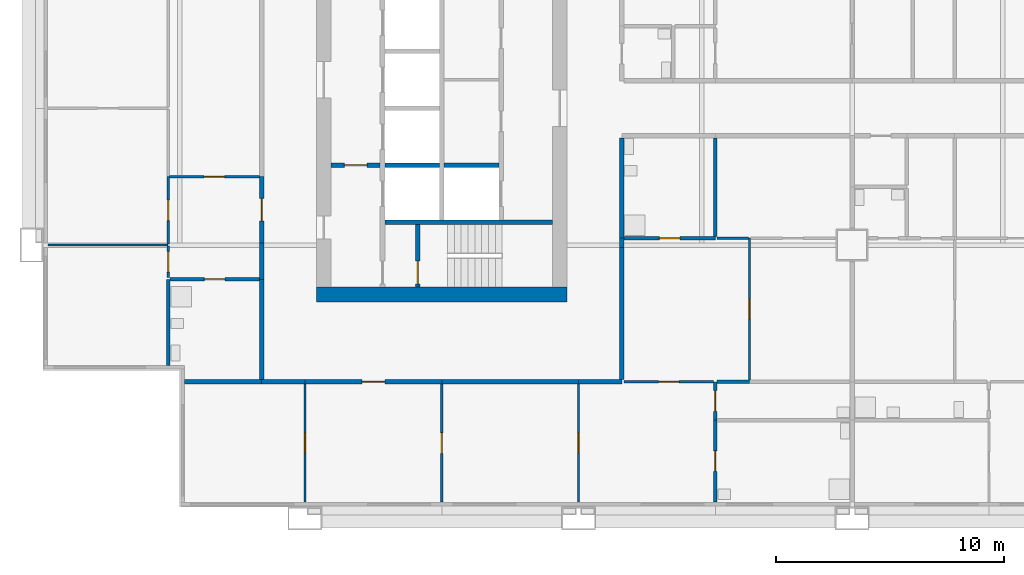
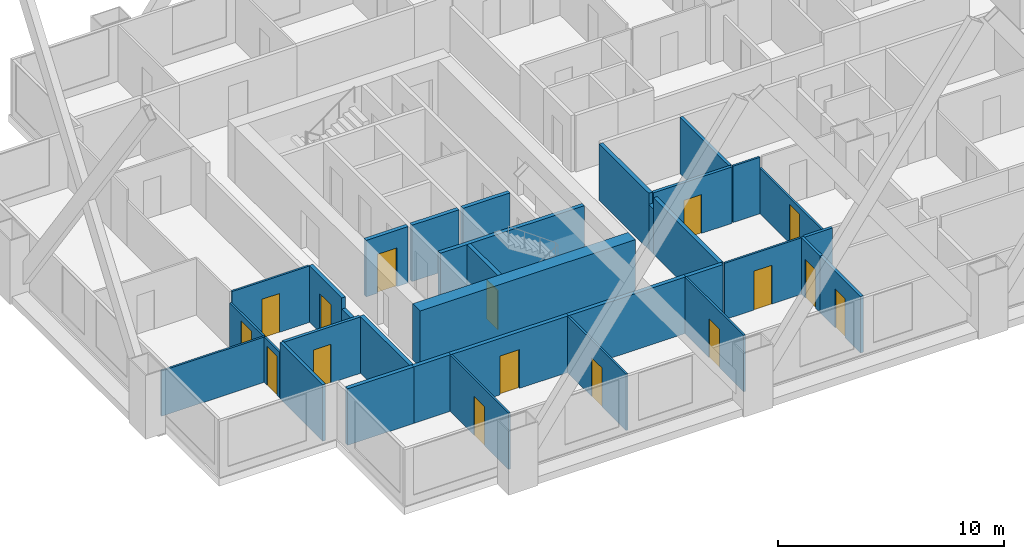
# One storey, part 2 of 11: 34 walls, 16 doors, 16 openings.
"""IFC4 building model written with IfcOpenShell, lengths in metres."""

from ifc_helpers import new_model, si_unit, direction, frame, frame_2d, origin, place, context, subcontext, project, spatial, rectangle, extrude, material, layer, layer_set, type_object, element, fill, save


model = new_model("IFC4")

# Units and contexts
model_context = context("Model", 3, precision=1e-05, world=origin(), true_north=direction((0.0, 1.0)))
body_context = subcontext(model_context, "Body", "Model", "MODEL_VIEW")
ifc_project = project(units=[si_unit("LENGTHUNIT", "METRE"), si_unit("AREAUNIT", "SQUARE_METRE"), si_unit("VOLUMEUNIT", "CUBIC_METRE"), si_unit("PLANEANGLEUNIT", "RADIAN"), si_unit("MASSUNIT", "GRAM", prefix="KILO")], contexts=[model_context])

# Site, building, storey
site_placement = place(None, origin())
site = spatial("IfcSite", under=ifc_project, at=site_placement, CompositionType="ELEMENT")
building_placement = place(site_placement, origin())
building = spatial("IfcBuilding", under=site, at=building_placement, Name="Kitamizu Gate Tower and Museum", CompositionType="ELEMENT")
storey_placement = place(building_placement, frame((0.0, 0.0, 96.60009765625)))
storey = spatial("IfcBuildingStorey", under=building, at=storey_placement, Name="L24", CompositionType="ELEMENT", Elevation=96.60009765625)

# Wall
ifc_material_1 = material(Name="Concrete Fc60", Category="concrete")
ifc_layer_1 = layer(ifc_material_1, 0.64990234375)
ifc_layer_set_1 = layer_set([ifc_layer_1], Name="Concrete Fc60")
wall_type_1 = type_object("IfcWallType", Name="Core wall 650", PredefinedType="SHEAR", material=ifc_layer_set_1)
wall_1_placement = place(storey_placement, frame((12.5, 21.824951171875, 0.0), z_axis=(0.0, 0.0, 1.0), x_axis=(1.0, 0.0, 0.0)))
element("IfcWall", 1, at=wall_1_placement, inside=storey, type_object=wall_type_1, Name="Core wall WS", PredefinedType="SHEAR", context=body_context, shape_type="SweptSolid", body=[
    extrude(rectangle(XDim=11.0, YDim=0.64990234375, at=frame_2d((5.5, 0.0))), origin(), (0.0, 0.0, 1.0), 3.0498046875),
])

# Wall, opening, door
ifc_material_2 = material(Name="Gypsum board on galvanised stud")
ifc_layer_2 = layer(ifc_material_2, 0.10009765625)
ifc_layer_set_2 = layer_set([ifc_layer_2], Name="Gypsum board on galvanised stud")
wall_type_2 = type_object("IfcWallType", Name="Partition 100 NOT RATED", PredefinedType="PARTITIONING", material=ifc_layer_set_2)
wall_2_placement = place(storey_placement, frame((12.0, 12.719970703125, 0.0), z_axis=(0.0, 0.0, 1.0), x_axis=(0.0, 1.0, 0.0)))
wall_2 = element("IfcWall", 2, at=wall_2_placement, inside=storey, type_object=wall_type_2, Name="Partition L24-001", PredefinedType="PARTITIONING", context=body_context, shape_type="SweptSolid", body=[
    extrude(rectangle(XDim=5.179931640625, YDim=0.10009765625, at=frame_2d((2.58984375, 0.0))), origin(), (0.0, 0.0, 1.0), 3.0498046875),
])
opening_1_placement = place(wall_2_placement, frame((2.139892578125, 0.0, 0.0)))
opening_1 = element("IfcOpeningElement", 3, at=opening_1_placement, cuts=wall_2, Name="Opening L24-005", PredefinedType="OPENING", context=body_context, shape_type="SweptSolid", body=[
    extrude(rectangle(XDim=0.89990234375, YDim=2.10009765625, at=frame_2d((0.449951171875, 1.050048828125))), frame((0.0, 0.06005859375, 0.0), z_axis=(0.0, -1.0, 0.0), x_axis=(1.0, 0.0, 0.0)), (0.0, 0.0, 1.0), 0.1201171875),
])
ifc_material_3 = material(Name="Timber door set", Category="wood")
door_type_1 = type_object("IfcDoorType", Name="Room door 900", OperationType="NOTDEFINED", PredefinedType="DOOR", material=ifc_material_3)
door_1_placement = place(opening_1_placement, origin())
door_1 = element("IfcDoor", 4, at=door_1_placement, inside=storey, type_object=door_type_1, Name="Door L24-005", OperationType="SINGLE_SWING_RIGHT", OverallHeight=2.10009765625, OverallWidth=0.89990234375, PredefinedType="DOOR", context=body_context, shape_type="SweptSolid", body=[
    extrude(rectangle(XDim=0.89990234375, YDim=2.10009765625, at=frame_2d((0.449951171875, 1.050048828125))), frame((0.0, 0.02490234375, 0.0), z_axis=(0.0, -1.0, 0.0), x_axis=(1.0, 0.0, 0.0)), (0.0, 0.0, 1.0), 0.050048828125),
])
fill(opening_1, door_1)

wall_3_placement = place(storey_placement, frame((18.0, 12.719970703125, 0.0), z_axis=(0.0, 0.0, 1.0), x_axis=(0.0, 1.0, 0.0)))
wall_3 = element("IfcWall", 5, at=wall_3_placement, inside=storey, type_object=wall_type_2, Name="Partition L24-004", PredefinedType="PARTITIONING", context=body_context, shape_type="SweptSolid", body=[
    extrude(rectangle(XDim=5.179931640625, YDim=0.10009765625, at=frame_2d((2.58984375, 0.0))), origin(), (0.0, 0.0, 1.0), 3.0498046875),
])
opening_2_placement = place(wall_3_placement, frame((2.139892578125, 0.0, 0.0)))
opening_2 = element("IfcOpeningElement", 6, at=opening_2_placement, cuts=wall_3, Name="Opening L24-002", PredefinedType="OPENING", context=body_context, shape_type="SweptSolid", body=[
    extrude(rectangle(XDim=0.89990234375, YDim=2.10009765625, at=frame_2d((0.449951171875, 1.050048828125))), frame((0.0, 0.06005859375, 0.0), z_axis=(0.0, -1.0, 0.0), x_axis=(1.0, 0.0, 0.0)), (0.0, 0.0, 1.0), 0.1201171875),
])
door_2_placement = place(opening_2_placement, frame((0.89990234375, 0.0, 0.0), x_axis=(-1.0, 0.0, 0.0)))
door_2 = element("IfcDoor", 7, at=door_2_placement, inside=storey, type_object=door_type_1, Name="Door L24-002", OperationType="SINGLE_SWING_RIGHT", OverallHeight=2.10009765625, OverallWidth=0.89990234375, PredefinedType="DOOR", context=body_context, shape_type="SweptSolid", body=[
    extrude(rectangle(XDim=0.89990234375, YDim=2.10009765625, at=frame_2d((0.449951171875, 1.050048828125))), frame((0.0, 0.02490234375, 0.0), z_axis=(0.0, -1.0, 0.0), x_axis=(1.0, 0.0, 0.0)), (0.0, 0.0, 1.0), 0.050048828125),
])
fill(opening_2, door_2)

wall_4_placement = place(storey_placement, frame((24.0, 12.719970703125, 0.0), z_axis=(0.0, 0.0, 1.0), x_axis=(0.0, 1.0, 0.0)))
wall_4 = element("IfcWall", 8, at=wall_4_placement, inside=storey, type_object=wall_type_2, Name="Partition L24-006", PredefinedType="PARTITIONING", context=body_context, shape_type="SweptSolid", body=[
    extrude(rectangle(XDim=5.179931640625, YDim=0.10009765625, at=frame_2d((2.58984375, 0.0))), origin(), (0.0, 0.0, 1.0), 3.0498046875),
])
opening_3_placement = place(wall_4_placement, frame((2.139892578125, 0.0, 0.0)))
opening_3 = element("IfcOpeningElement", 9, at=opening_3_placement, cuts=wall_4, Name="Opening L24-003", PredefinedType="OPENING", context=body_context, shape_type="SweptSolid", body=[
    extrude(rectangle(XDim=0.89990234375, YDim=2.10009765625, at=frame_2d((0.449951171875, 1.050048828125))), frame((0.0, 0.06005859375, 0.0), z_axis=(0.0, -1.0, 0.0), x_axis=(1.0, 0.0, 0.0)), (0.0, 0.0, 1.0), 0.1201171875),
])
door_3_placement = place(opening_3_placement, origin())
door_3 = element("IfcDoor", 10, at=door_3_placement, inside=storey, type_object=door_type_1, Name="Door L24-003", OperationType="SINGLE_SWING_RIGHT", OverallHeight=2.10009765625, OverallWidth=0.89990234375, PredefinedType="DOOR", context=body_context, shape_type="SweptSolid", body=[
    extrude(rectangle(XDim=0.89990234375, YDim=2.10009765625, at=frame_2d((0.449951171875, 1.050048828125))), frame((0.0, 0.02490234375, 0.0), z_axis=(0.0, -1.0, 0.0), x_axis=(1.0, 0.0, 0.0)), (0.0, 0.0, 1.0), 0.050048828125),
])
fill(opening_3, door_3)

wall_5_placement = place(storey_placement, frame((29.925048828125, 18.0, 0.0), z_axis=(0.0, 0.0, 1.0), x_axis=(-1.0, 0.0, 0.0)))
wall_5 = element("IfcWall", 11, at=wall_5_placement, inside=storey, type_object=wall_type_2, Name="Partition L24-010", PredefinedType="PARTITIONING", context=body_context, shape_type="SweptSolid", body=[
    extrude(rectangle(XDim=3.925048828125, YDim=0.10009765625, at=frame_2d((1.96240234375, 0.0))), origin(), (0.0, 0.0, 1.0), 3.0498046875),
])
opening_4_placement = place(wall_5_placement, frame((1.512451171875, 0.0, 0.0)))
opening_4 = element("IfcOpeningElement", 12, at=opening_4_placement, cuts=wall_5, Name="Opening L24-007", PredefinedType="OPENING", context=body_context, shape_type="SweptSolid", body=[
    extrude(rectangle(XDim=0.89990234375, YDim=2.10009765625, at=frame_2d((0.449951171875, 1.050048828125))), frame((0.0, 0.06005859375, 0.0), z_axis=(0.0, -1.0, 0.0), x_axis=(1.0, 0.0, 0.0)), (0.0, 0.0, 1.0), 0.1201171875),
])
door_4_placement = place(opening_4_placement, origin())
door_4 = element("IfcDoor", 13, at=door_4_placement, inside=storey, type_object=door_type_1, Name="Door L24-007", OperationType="SINGLE_SWING_RIGHT", OverallHeight=2.10009765625, OverallWidth=0.89990234375, PredefinedType="DOOR", context=body_context, shape_type="SweptSolid", body=[
    extrude(rectangle(XDim=0.89990234375, YDim=2.10009765625, at=frame_2d((0.449951171875, 1.050048828125))), frame((0.0, 0.02490234375, 0.0), z_axis=(0.0, -1.0, 0.0), x_axis=(1.0, 0.0, 0.0)), (0.0, 0.0, 1.0), 0.050048828125),
])
fill(opening_4, door_4)

wall_6_placement = place(storey_placement, frame((31.5, 18.074951171875, 0.0), z_axis=(0.0, 0.0, 1.0), x_axis=(0.0, 1.0, 0.0)))
wall_6 = element("IfcWall", 14, at=wall_6_placement, inside=storey, type_object=wall_type_2, Name="Partition L24-017", PredefinedType="PARTITIONING", context=body_context, shape_type="SweptSolid", body=[
    extrude(rectangle(XDim=6.22509765625, YDim=0.10009765625, at=frame_2d((3.112548828125, 0.0))), origin(), (0.0, 0.0, 1.0), 2.449951171875),
])
opening_5_placement = place(wall_6_placement, frame((2.66259765625, 0.0, 0.0)))
opening_5 = element("IfcOpeningElement", 15, at=opening_5_placement, cuts=wall_6, Name="Opening L24-009", PredefinedType="OPENING", context=body_context, shape_type="SweptSolid", body=[
    extrude(rectangle(XDim=0.89990234375, YDim=2.10009765625, at=frame_2d((0.449951171875, 1.050048828125))), frame((0.0, 0.06005859375, 0.0), z_axis=(0.0, -1.0, 0.0), x_axis=(1.0, 0.0, 0.0)), (0.0, 0.0, 1.0), 0.1201171875),
])
door_5_placement = place(opening_5_placement, frame((0.89990234375, 0.0, 0.0), x_axis=(-1.0, 0.0, 0.0)))
door_5 = element("IfcDoor", 16, at=door_5_placement, inside=storey, type_object=door_type_1, Name="Door L24-009", OperationType="SINGLE_SWING_LEFT", OverallHeight=2.10009765625, OverallWidth=0.89990234375, PredefinedType="DOOR", context=body_context, shape_type="SweptSolid", body=[
    extrude(rectangle(XDim=0.89990234375, YDim=2.10009765625, at=frame_2d((0.449951171875, 1.050048828125))), frame((0.0, 0.02490234375, 0.0), z_axis=(0.0, -1.0, 0.0), x_axis=(1.0, 0.0, 0.0)), (0.0, 0.0, 1.0), 0.050048828125),
])
fill(opening_5, door_5)

# Walls
wall_7_placement = place(storey_placement, frame((31.449951171875, 24.300048828125, 0.0), z_axis=(0.0, 0.0, 1.0), x_axis=(-1.0, 0.0, 0.0)))
element("IfcWall", 17, at=wall_7_placement, inside=storey, type_object=wall_type_2, Name="Partition L24-019", PredefinedType="PARTITIONING", context=body_context, shape_type="SweptSolid", body=[
    extrude(rectangle(XDim=1.375, YDim=0.10009765625, at=frame_2d((0.6875, 0.0))), origin(), (0.0, 0.0, 1.0), 3.0498046875),
])
wall_8_placement = place(storey_placement, frame((6.0, 24.0, 0.0), z_axis=(0.0, 0.0, 1.0), x_axis=(-1.0, 0.0, 0.0)))
element("IfcWall", 18, at=wall_8_placement, inside=storey, type_object=wall_type_2, Name="Partition L24-030", PredefinedType="PARTITIONING", context=body_context, shape_type="SweptSolid", body=[
    extrude(rectangle(XDim=5.280029296875, YDim=0.10009765625, at=frame_2d((2.64013671875, 0.0))), origin(), (0.0, 0.0, 1.0), 2.449951171875),
])

# Wall, opening, door
wall_9_placement = place(storey_placement, frame((6.0, 22.574951171875, 0.0), z_axis=(0.0, 0.0, 1.0), x_axis=(0.0, 1.0, 0.0)))
wall_9 = element("IfcWall", 19, at=wall_9_placement, inside=storey, type_object=wall_type_2, Name="Partition L24-032", PredefinedType="PARTITIONING", context=body_context, shape_type="SweptSolid", body=[
    extrude(rectangle(XDim=1.375, YDim=0.10009765625, at=frame_2d((0.6875, 0.0))), origin(), (0.0, 0.0, 1.0), 2.449951171875),
])
opening_6_placement = place(wall_9_placement, frame((0.237548828125, 0.0, 0.0)))
opening_6 = element("IfcOpeningElement", 20, at=opening_6_placement, cuts=wall_9, Name="Opening L24-012", PredefinedType="OPENING", context=body_context, shape_type="SweptSolid", body=[
    extrude(rectangle(XDim=0.89990234375, YDim=2.10009765625, at=frame_2d((0.449951171875, 1.050048828125))), frame((0.0, 0.06005859375, 0.0), z_axis=(0.0, -1.0, 0.0), x_axis=(1.0, 0.0, 0.0)), (0.0, 0.0, 1.0), 0.1201171875),
])
door_6_placement = place(opening_6_placement, origin())
door_6 = element("IfcDoor", 21, at=door_6_placement, inside=storey, type_object=door_type_1, Name="Door L24-012", OperationType="SINGLE_SWING_LEFT", OverallHeight=2.10009765625, OverallWidth=0.89990234375, PredefinedType="DOOR", context=body_context, shape_type="SweptSolid", body=[
    extrude(rectangle(XDim=0.89990234375, YDim=2.10009765625, at=frame_2d((0.449951171875, 1.050048828125))), frame((0.0, 0.02490234375, 0.0), z_axis=(0.0, -1.0, 0.0), x_axis=(1.0, 0.0, 0.0)), (0.0, 0.0, 1.0), 0.050048828125),
])
fill(opening_6, door_6)

wall_10_placement = place(storey_placement, frame((6.0, 24.050048828125, 0.0), z_axis=(0.0, 0.0, 1.0), x_axis=(0.0, 1.0, 0.0)))
wall_10 = element("IfcWall", 22, at=wall_10_placement, inside=storey, type_object=wall_type_2, Name="Partition L24-034", PredefinedType="PARTITIONING", context=body_context, shape_type="SweptSolid", body=[
    extrude(rectangle(XDim=2.949951171875, YDim=0.10009765625, at=frame_2d((1.47509765625, 0.0))), origin(), (0.0, 0.0, 1.0), 2.449951171875),
])
opening_7_placement = place(wall_10_placement, frame((1.02490234375, 0.0, 0.0)))
opening_7 = element("IfcOpeningElement", 23, at=opening_7_placement, cuts=wall_10, Name="Opening L24-013", PredefinedType="OPENING", context=body_context, shape_type="SweptSolid", body=[
    extrude(rectangle(XDim=0.89990234375, YDim=2.10009765625, at=frame_2d((0.449951171875, 1.050048828125))), frame((0.0, 0.06005859375, 0.0), z_axis=(0.0, -1.0, 0.0), x_axis=(1.0, 0.0, 0.0)), (0.0, 0.0, 1.0), 0.1201171875),
])
door_7_placement = place(opening_7_placement, origin())
door_7 = element("IfcDoor", 24, at=door_7_placement, inside=storey, type_object=door_type_1, Name="Door L24-013", OperationType="SINGLE_SWING_RIGHT", OverallHeight=2.10009765625, OverallWidth=0.89990234375, PredefinedType="DOOR", context=body_context, shape_type="SweptSolid", body=[
    extrude(rectangle(XDim=0.89990234375, YDim=2.10009765625, at=frame_2d((0.449951171875, 1.050048828125))), frame((0.0, 0.02490234375, 0.0), z_axis=(0.0, -1.0, 0.0), x_axis=(1.0, 0.0, 0.0)), (0.0, 0.0, 1.0), 0.050048828125),
])
fill(opening_7, door_7)

wall_11_placement = place(storey_placement, frame((10.0, 27.0, 0.0), z_axis=(0.0, 0.0, 1.0), x_axis=(-1.0, 0.0, 0.0)))
wall_11 = element("IfcWall", 25, at=wall_11_placement, inside=storey, type_object=wall_type_2, Name="Partition L24-041", PredefinedType="PARTITIONING", context=body_context, shape_type="SweptSolid", body=[
    extrude(rectangle(XDim=3.949951171875, YDim=0.10009765625, at=frame_2d((1.97509765625, 0.0))), origin(), (0.0, 0.0, 1.0), 3.0498046875),
])
opening_8_placement = place(wall_11_placement, frame((1.52490234375, 0.0, 0.0)))
opening_8 = element("IfcOpeningElement", 26, at=opening_8_placement, cuts=wall_11, Name="Opening L24-014", PredefinedType="OPENING", context=body_context, shape_type="SweptSolid", body=[
    extrude(rectangle(XDim=0.89990234375, YDim=2.10009765625, at=frame_2d((0.449951171875, 1.050048828125))), frame((0.0, 0.06005859375, 0.0), z_axis=(0.0, -1.0, 0.0), x_axis=(1.0, 0.0, 0.0)), (0.0, 0.0, 1.0), 0.1201171875),
])
door_8_placement = place(opening_8_placement, origin())
door_8 = element("IfcDoor", 27, at=door_8_placement, inside=storey, type_object=door_type_1, Name="Door L24-014", OperationType="SINGLE_SWING_LEFT", OverallHeight=2.10009765625, OverallWidth=0.89990234375, PredefinedType="DOOR", context=body_context, shape_type="SweptSolid", body=[
    extrude(rectangle(XDim=0.89990234375, YDim=2.10009765625, at=frame_2d((0.449951171875, 1.050048828125))), frame((0.0, 0.02490234375, 0.0), z_axis=(0.0, -1.0, 0.0), x_axis=(1.0, 0.0, 0.0)), (0.0, 0.0, 1.0), 0.050048828125),
])
fill(opening_8, door_8)

ifc_material_4 = material(Name="Gypsum board on galvanised stud")
ifc_layer_3 = layer(ifc_material_4, 0.14990234375)
ifc_layer_set_3 = layer_set([ifc_layer_3], Name="Gypsum board on galvanised stud")
wall_type_3 = type_object("IfcWallType", Name="Partition 150", PredefinedType="PARTITIONING", material=ifc_layer_set_3)
wall_12_placement = place(storey_placement, frame((30.0, 12.719970703125, 0.0), z_axis=(0.0, 0.0, 1.0), x_axis=(0.0, 1.0, 0.0)))
wall_12 = element("IfcWall", 28, at=wall_12_placement, inside=storey, type_object=wall_type_3, Name="Partition L24-008", PredefinedType="PARTITIONING", context=body_context, shape_type="SweptSolid", body=[
    extrude(rectangle(XDim=3.60009765625, YDim=0.14990234375, at=frame_2d((1.800048828125, 0.0))), origin(), (0.0, 0.0, 1.0), 3.0498046875),
])
opening_9_placement = place(wall_12_placement, frame((1.35009765625, 0.0, 0.0)))
opening_9 = element("IfcOpeningElement", 29, at=opening_9_placement, cuts=wall_12, Name="Opening L24-004", PredefinedType="OPENING", context=body_context, shape_type="SweptSolid", body=[
    extrude(rectangle(XDim=0.89990234375, YDim=2.10009765625, at=frame_2d((0.449951171875, 1.050048828125))), frame((0.0, 0.0849609375, 0.0), z_axis=(0.0, -1.0, 0.0), x_axis=(1.0, 0.0, 0.0)), (0.0, 0.0, 1.0), 0.169921875),
])
ifc_material_5 = material(Name="Timber door set", Category="wood")
door_type_2 = type_object("IfcDoorType", Name="Bathroom door 900", OperationType="NOTDEFINED", PredefinedType="DOOR", material=ifc_material_5)
door_9_placement = place(opening_9_placement, frame((0.89990234375, 0.0, 0.0), x_axis=(-1.0, 0.0, 0.0)))
door_9 = element("IfcDoor", 30, at=door_9_placement, inside=storey, type_object=door_type_2, Name="Bathroom door L24-004", OperationType="SINGLE_SWING_RIGHT", OverallHeight=2.10009765625, OverallWidth=0.89990234375, PredefinedType="DOOR", context=body_context, shape_type="SweptSolid", body=[
    extrude(rectangle(XDim=0.89990234375, YDim=2.10009765625, at=frame_2d((0.449951171875, 1.050048828125))), frame((0.0, 0.02490234375, 0.0), z_axis=(0.0, -1.0, 0.0), x_axis=(1.0, 0.0, 0.0)), (0.0, 0.0, 1.0), 0.050048828125),
])
fill(opening_9, door_9)

wall_13_placement = place(storey_placement, frame((30.0, 16.320068359375, 0.0), z_axis=(0.0, 0.0, 1.0), x_axis=(0.0, 1.0, 0.0)))
wall_13 = element("IfcWall", 31, at=wall_13_placement, inside=storey, type_object=wall_type_3, Name="Partition L24-009", PredefinedType="PARTITIONING", context=body_context, shape_type="SweptSolid", body=[
    extrude(rectangle(XDim=1.679931640625, YDim=0.14990234375, at=frame_2d((0.83984375, 0.0))), origin(), (0.0, 0.0, 1.0), 3.0498046875),
])
opening_10_placement = place(wall_13_placement, frame((0.389892578125, 0.0, 0.0)))
opening_10 = element("IfcOpeningElement", 32, at=opening_10_placement, cuts=wall_13, Name="Opening L24-006", PredefinedType="OPENING", context=body_context, shape_type="SweptSolid", body=[
    extrude(rectangle(XDim=0.89990234375, YDim=2.10009765625, at=frame_2d((0.449951171875, 1.050048828125))), frame((0.0, 0.0849609375, 0.0), z_axis=(0.0, -1.0, 0.0), x_axis=(1.0, 0.0, 0.0)), (0.0, 0.0, 1.0), 0.169921875),
])
door_10_placement = place(opening_10_placement, frame((0.89990234375, 0.0, 0.0), x_axis=(-1.0, 0.0, 0.0)))
door_10 = element("IfcDoor", 33, at=door_10_placement, inside=storey, type_object=door_type_2, Name="Bathroom door L24-006", OperationType="SINGLE_SWING_RIGHT", OverallHeight=2.10009765625, OverallWidth=0.89990234375, PredefinedType="DOOR", context=body_context, shape_type="SweptSolid", body=[
    extrude(rectangle(XDim=0.89990234375, YDim=2.10009765625, at=frame_2d((0.449951171875, 1.050048828125))), frame((0.0, 0.02490234375, 0.0), z_axis=(0.0, -1.0, 0.0), x_axis=(1.0, 0.0, 0.0)), (0.0, 0.0, 1.0), 0.050048828125),
])
fill(opening_10, door_10)

# Wall
wall_14_placement = place(storey_placement, frame((31.5, 18.0, 0.0), z_axis=(0.0, 0.0, 1.0), x_axis=(-1.0, 0.0, 0.0)))
element("IfcWall", 34, at=wall_14_placement, inside=storey, type_object=wall_type_3, Name="Partition L24-014", PredefinedType="PARTITIONING", context=body_context, shape_type="SweptSolid", body=[
    extrude(rectangle(XDim=1.425048828125, YDim=0.14990234375, at=frame_2d((0.71240234375, 0.0))), origin(), (0.0, 0.0, 1.0), 3.0498046875),
])

# Wall, opening, door
wall_15_placement = place(storey_placement, frame((30.0, 24.300048828125, 0.0), z_axis=(0.0, 0.0, 1.0), x_axis=(-1.0, 0.0, 0.0)))
wall_15 = element("IfcWall", 35, at=wall_15_placement, inside=storey, type_object=wall_type_3, Name="Partition L24-018", PredefinedType="PARTITIONING", context=body_context, shape_type="SweptSolid", body=[
    extrude(rectangle(XDim=4.0, YDim=0.14990234375, at=frame_2d((2.0, 0.0))), origin(), (0.0, 0.0, 1.0), 3.0498046875),
])
opening_11_placement = place(wall_15_placement, frame((1.550048828125, 0.0, 0.0)))
opening_11 = element("IfcOpeningElement", 36, at=opening_11_placement, cuts=wall_15, Name="Opening L24-008", PredefinedType="OPENING", context=body_context, shape_type="SweptSolid", body=[
    extrude(rectangle(XDim=0.89990234375, YDim=2.10009765625, at=frame_2d((0.449951171875, 1.050048828125))), frame((0.0, 0.0849609375, 0.0), z_axis=(0.0, -1.0, 0.0), x_axis=(1.0, 0.0, 0.0)), (0.0, 0.0, 1.0), 0.169921875),
])
door_11_placement = place(opening_11_placement, frame((0.89990234375, 0.0, 0.0), x_axis=(-1.0, 0.0, 0.0)))
door_11 = element("IfcDoor", 37, at=door_11_placement, inside=storey, type_object=door_type_2, Name="Bathroom door L24-008", OperationType="SINGLE_SWING_RIGHT", OverallHeight=2.10009765625, OverallWidth=0.89990234375, PredefinedType="DOOR", context=body_context, shape_type="SweptSolid", body=[
    extrude(rectangle(XDim=0.89990234375, YDim=2.10009765625, at=frame_2d((0.449951171875, 1.050048828125))), frame((0.0, 0.02490234375, 0.0), z_axis=(0.0, -1.0, 0.0), x_axis=(1.0, 0.0, 0.0)), (0.0, 0.0, 1.0), 0.050048828125),
])
fill(opening_11, door_11)

# Walls
wall_16_placement = place(storey_placement, frame((30.0, 24.375, 0.0), z_axis=(0.0, 0.0, 1.0), x_axis=(0.0, 1.0, 0.0)))
element("IfcWall", 38, at=wall_16_placement, inside=storey, type_object=wall_type_3, Name="Partition L24-024", PredefinedType="PARTITIONING", context=body_context, shape_type="SweptSolid", body=[
    extrude(rectangle(XDim=4.324951171875, YDim=0.14990234375, at=frame_2d((2.16259765625, 0.0))), origin(), (0.0, 0.0, 1.0), 3.0498046875),
])
wall_17_placement = place(storey_placement, frame((6.0, 18.719970703125, 0.0), z_axis=(0.0, 0.0, 1.0), x_axis=(0.0, 1.0, 0.0)))
element("IfcWall", 39, at=wall_17_placement, inside=storey, type_object=wall_type_3, Name="Partition L24-031", PredefinedType="PARTITIONING", context=body_context, shape_type="SweptSolid", body=[
    extrude(rectangle(XDim=3.780029296875, YDim=0.14990234375, at=frame_2d((1.89013671875, 0.0))), origin(), (0.0, 0.0, 1.0), 3.0498046875),
])

# Wall, opening, door
wall_18_placement = place(storey_placement, frame((10.0, 22.5, 0.0), z_axis=(0.0, 0.0, 1.0), x_axis=(-1.0, 0.0, 0.0)))
wall_18 = element("IfcWall", 40, at=wall_18_placement, inside=storey, type_object=wall_type_3, Name="Partition L24-039", PredefinedType="PARTITIONING", context=body_context, shape_type="SweptSolid", body=[
    extrude(rectangle(XDim=3.925048828125, YDim=0.14990234375, at=frame_2d((1.96240234375, 0.0))), origin(), (0.0, 0.0, 1.0), 3.0498046875),
])
opening_12_placement = place(wall_18_placement, frame((1.512451171875, 0.0, 0.0)))
opening_12 = element("IfcOpeningElement", 41, at=opening_12_placement, cuts=wall_18, Name="Opening L24-016", PredefinedType="OPENING", context=body_context, shape_type="SweptSolid", body=[
    extrude(rectangle(XDim=0.89990234375, YDim=2.10009765625, at=frame_2d((0.449951171875, 1.050048828125))), frame((0.0, 0.0849609375, 0.0), z_axis=(0.0, -1.0, 0.0), x_axis=(1.0, 0.0, 0.0)), (0.0, 0.0, 1.0), 0.169921875),
])
door_12_placement = place(opening_12_placement, origin())
door_12 = element("IfcDoor", 42, at=door_12_placement, inside=storey, type_object=door_type_2, Name="Bathroom door L24-016", OperationType="SINGLE_SWING_LEFT", OverallHeight=2.10009765625, OverallWidth=0.89990234375, PredefinedType="DOOR", context=body_context, shape_type="SweptSolid", body=[
    extrude(rectangle(XDim=0.89990234375, YDim=2.10009765625, at=frame_2d((0.449951171875, 1.050048828125))), frame((0.0, 0.02490234375, 0.0), z_axis=(0.0, -1.0, 0.0), x_axis=(1.0, 0.0, 0.0)), (0.0, 0.0, 1.0), 0.050048828125),
])
fill(opening_12, door_12)

# Walls
ifc_material_6 = material(Name="Gypsum board on galvanised stud")
ifc_layer_4 = layer(ifc_material_6, 0.199951171875)
ifc_layer_set_4 = layer_set([ifc_layer_4], Name="Gypsum board on galvanised stud")
wall_type_4 = type_object("IfcWallType", Name="Partition 200", PredefinedType="PARTITIONING", material=ifc_layer_set_4)
wall_19_placement = place(storey_placement, frame((10.10009765625, 18.0, 0.0), z_axis=(0.0, 0.0, 1.0), x_axis=(-1.0, 0.0, 0.0)))
element("IfcWall", 43, at=wall_19_placement, inside=storey, type_object=wall_type_4, Name="Partition L24-002", PredefinedType="PARTITIONING", context=body_context, shape_type="SweptSolid", body=[
    extrude(rectangle(XDim=3.380126953125, YDim=0.199951171875, at=frame_2d((1.68994140625, 0.0))), origin(), (0.0, 0.0, 1.0), 3.0498046875),
])
wall_20_placement = place(storey_placement, frame((12.0, 18.0, 0.0), z_axis=(0.0, 0.0, 1.0), x_axis=(-1.0, 0.0, 0.0)))
element("IfcWall", 44, at=wall_20_placement, inside=storey, type_object=wall_type_4, Name="Partition L24-003", PredefinedType="PARTITIONING", context=body_context, shape_type="SweptSolid", body=[
    extrude(rectangle(XDim=1.89990234375, YDim=0.199951171875, at=frame_2d((0.949951171875, 0.0))), origin(), (0.0, 0.0, 1.0), 3.0498046875),
])

# Wall, opening, door
wall_21_placement = place(storey_placement, frame((18.0, 18.0, 0.0), z_axis=(0.0, 0.0, 1.0), x_axis=(-1.0, 0.0, 0.0)))
wall_21 = element("IfcWall", 45, at=wall_21_placement, inside=storey, type_object=wall_type_4, Name="Partition L24-005", PredefinedType="PARTITIONING", context=body_context, shape_type="SweptSolid", body=[
    extrude(rectangle(XDim=6.0, YDim=0.199951171875, at=frame_2d((3.0, 0.0))), origin(), (0.0, 0.0, 1.0), 3.0498046875),
])
opening_13_placement = place(wall_21_placement, frame((2.5, 0.0, 0.0)))
opening_13 = element("IfcOpeningElement", 46, at=opening_13_placement, cuts=wall_21, Name="Opening L24-001", PredefinedType="OPENING", context=body_context, shape_type="SweptSolid", body=[
    extrude(rectangle(XDim=1.0, YDim=2.10009765625, at=frame_2d((0.5, 1.050048828125))), frame((0.0, 0.10986328125, 0.0), z_axis=(0.0, -1.0, 0.0), x_axis=(1.0, 0.0, 0.0)), (0.0, 0.0, 1.0), 0.219970703125),
])
ifc_material_7 = material(Name="Timber door set", Category="wood")
door_type_3 = type_object("IfcDoorType", Name="Flat entrance door 1000", OperationType="NOTDEFINED", PredefinedType="DOOR", material=ifc_material_7)
door_13_placement = place(opening_13_placement, origin())
door_13 = element("IfcDoor", 47, at=door_13_placement, inside=storey, type_object=door_type_3, Name="Flat entrance door L24-001", OperationType="SINGLE_SWING_RIGHT", OverallHeight=2.10009765625, OverallWidth=1.0, PredefinedType="DOOR", context=body_context, shape_type="SweptSolid", body=[
    extrude(rectangle(XDim=1.0, YDim=2.10009765625, at=frame_2d((0.5, 1.050048828125))), frame((0.0, 0.02490234375, 0.0), z_axis=(0.0, -1.0, 0.0), x_axis=(1.0, 0.0, 0.0)), (0.0, 0.0, 1.0), 0.050048828125),
])
fill(opening_13, door_13)

# Walls
wall_22_placement = place(storey_placement, frame((24.0, 18.0, 0.0), z_axis=(0.0, 0.0, 1.0), x_axis=(-1.0, 0.0, 0.0)))
element("IfcWall", 48, at=wall_22_placement, inside=storey, type_object=wall_type_4, Name="Partition L24-007", PredefinedType="PARTITIONING", context=body_context, shape_type="SweptSolid", body=[
    extrude(rectangle(XDim=6.0, YDim=0.199951171875, at=frame_2d((3.0, 0.0))), origin(), (0.0, 0.0, 1.0), 3.0498046875),
])
wall_23_placement = place(storey_placement, frame((25.89990234375, 18.0, 0.0), z_axis=(0.0, 0.0, 1.0), x_axis=(-1.0, 0.0, 0.0)))
element("IfcWall", 49, at=wall_23_placement, inside=storey, type_object=wall_type_4, Name="Partition L24-011", PredefinedType="PARTITIONING", context=body_context, shape_type="SweptSolid", body=[
    extrude(rectangle(XDim=1.89990234375, YDim=0.199951171875, at=frame_2d((0.949951171875, 0.0))), origin(), (0.0, 0.0, 1.0), 3.0498046875),
])
wall_24_placement = place(storey_placement, frame((25.89990234375, 24.300048828125, 0.0), z_axis=(0.0, 0.0, 1.0), x_axis=(0.0, -1.0, 0.0)))
element("IfcWall", 50, at=wall_24_placement, inside=storey, type_object=wall_type_4, Name="Partition L24-020", PredefinedType="PARTITIONING", context=body_context, shape_type="SweptSolid", body=[
    extrude(rectangle(XDim=0.400146484375, YDim=0.199951171875, at=frame_2d((0.2001953125, 0.0))), origin(), (0.0, 0.0, 1.0), 2.449951171875),
])
wall_25_placement = place(storey_placement, frame((25.89990234375, 23.89990234375, 0.0), z_axis=(0.0, 0.0, 1.0), x_axis=(0.0, -1.0, 0.0)))
element("IfcWall", 51, at=wall_25_placement, inside=storey, type_object=wall_type_4, Name="Partition L24-021", PredefinedType="PARTITIONING", context=body_context, shape_type="SweptSolid", body=[
    extrude(rectangle(XDim=5.7998046875, YDim=0.199951171875, at=frame_2d((2.89990234375, 0.0))), origin(), (0.0, 0.0, 1.0), 3.0498046875),
])
for number, where, z_axis, x_axis, name in (
    (52, (25.89990234375, 28.699951171875, 0.0), (0.0, 0.0, 1.0), (0.0, -1.0, 0.0), "Partition L24-026"),
    (53, (10.10009765625, 18.10009765625, 0.0), (0.0, 0.0, 1.0), (0.0, 1.0, 0.0), "Partition L24-040"),
):
    element("IfcWall", number, at=place(storey_placement, frame(where, z_axis=z_axis, x_axis=x_axis)), inside=storey, type_object=wall_type_4, Name=name, PredefinedType="PARTITIONING", context=body_context, shape_type="SweptSolid", body=[
        extrude(rectangle(XDim=4.39990234375, YDim=0.199951171875, at=frame_2d((2.199951171875, 0.0))), origin(), (0.0, 0.0, 1.0), 3.0498046875),
    ])
wall_26_placement = place(storey_placement, frame((10.10009765625, 22.5, 0.0), z_axis=(0.0, 0.0, 1.0), x_axis=(0.0, 1.0, 0.0)))
element("IfcWall", 54, at=wall_26_placement, inside=storey, type_object=wall_type_4, Name="Partition L24-042", PredefinedType="PARTITIONING", context=body_context, shape_type="SweptSolid", body=[
    extrude(rectangle(XDim=1.60009765625, YDim=0.199951171875, at=frame_2d((0.800048828125, 0.0))), origin(), (0.0, 0.0, 1.0), 2.449951171875),
])

# Wall, opening, door
wall_27_placement = place(storey_placement, frame((10.10009765625, 24.10009765625, 0.0), z_axis=(0.0, 0.0, 1.0), x_axis=(0.0, 1.0, 0.0)))
wall_27 = element("IfcWall", 55, at=wall_27_placement, inside=storey, type_object=wall_type_4, Name="Partition L24-043", PredefinedType="PARTITIONING", context=body_context, shape_type="SweptSolid", body=[
    extrude(rectangle(XDim=2.89990234375, YDim=0.199951171875, at=frame_2d((1.449951171875, 0.0))), origin(), (0.0, 0.0, 1.0), 3.0498046875),
])
opening_14_placement = place(wall_27_placement, frame((0.949951171875, 0.0, 0.0)))
opening_14 = element("IfcOpeningElement", 56, at=opening_14_placement, cuts=wall_27, Name="Opening L24-011", PredefinedType="OPENING", context=body_context, shape_type="SweptSolid", body=[
    extrude(rectangle(XDim=1.0, YDim=2.10009765625, at=frame_2d((0.5, 1.050048828125))), frame((0.0, 0.10986328125, 0.0), z_axis=(0.0, -1.0, 0.0), x_axis=(1.0, 0.0, 0.0)), (0.0, 0.0, 1.0), 0.219970703125),
])
door_14_placement = place(opening_14_placement, origin())
door_14 = element("IfcDoor", 57, at=door_14_placement, inside=storey, type_object=door_type_3, Name="Flat entrance door L24-011", OperationType="SINGLE_SWING_LEFT", OverallHeight=2.10009765625, OverallWidth=1.0, PredefinedType="DOOR", context=body_context, shape_type="SweptSolid", body=[
    extrude(rectangle(XDim=1.0, YDim=2.10009765625, at=frame_2d((0.5, 1.050048828125))), frame((0.0, 0.02490234375, 0.0), z_axis=(0.0, -1.0, 0.0), x_axis=(1.0, 0.0, 0.0)), (0.0, 0.0, 1.0), 0.050048828125),
])
fill(opening_14, door_14)

# Wall
ifc_material_8 = material(Name="Concrete Fc42", Category="concrete")
ifc_layer_5 = layer(ifc_material_8, 0.199951171875)
ifc_layer_set_5 = layer_set([ifc_layer_5], Name="Concrete Fc42")
wall_type_5 = type_object("IfcWallType", Name="Shaft wall 200", PredefinedType="SOLIDWALL", material=ifc_layer_set_5)
wall_28_placement = place(storey_placement, frame((15.5, 25.0, 0.0), z_axis=(0.0, 0.0, 1.0), x_axis=(1.0, 0.0, 0.0)))
element("IfcWall", 58, at=wall_28_placement, inside=storey, type_object=wall_type_5, Name="Shaft wall WSB", PredefinedType="SOLIDWALL", context=body_context, shape_type="SweptSolid", body=[
    extrude(rectangle(XDim=7.35009765625, YDim=0.199951171875, at=frame_2d((3.675048828125, 0.0))), origin(), (0.0, 0.0, 1.0), 3.0498046875),
])

# Wall, opening, door
wall_29_placement = place(storey_placement, frame((13.14990234375, 27.5, 0.0), z_axis=(0.0, 0.0, 1.0), x_axis=(1.0, 0.0, 0.0)))
wall_29 = element("IfcWall", 59, at=wall_29_placement, inside=storey, type_object=wall_type_5, Name="Shaft wall WFFN", PredefinedType="SOLIDWALL", context=body_context, shape_type="SweptSolid", body=[
    extrude(rectangle(XDim=2.150146484375, YDim=0.199951171875, at=frame_2d((1.0751953125, 0.0))), origin(), (0.0, 0.0, 1.0), 3.0498046875),
])
opening_15_placement = place(wall_29_placement, frame((0.574951171875, 0.0, 0.0)))
opening_15 = element("IfcOpeningElement", 60, at=opening_15_placement, cuts=wall_29, Name="Opening L24-060", PredefinedType="OPENING", context=body_context, shape_type="SweptSolid", body=[
    extrude(rectangle(XDim=1.0, YDim=2.10009765625, at=frame_2d((0.5, 1.050048828125))), frame((0.0, 0.10986328125, 0.0), z_axis=(0.0, -1.0, 0.0), x_axis=(1.0, 0.0, 0.0)), (0.0, 0.0, 1.0), 0.219970703125),
])
ifc_material_9 = material(Name="Hollow metal door set")
door_type_4 = type_object("IfcDoorType", Name="Fire door 1000", OperationType="NOTDEFINED", PredefinedType="DOOR", material=ifc_material_9)
door_15_placement = place(opening_15_placement, frame((1.0, 0.0, 0.0), x_axis=(-1.0, 0.0, 0.0)))
door_15 = element("IfcDoor", 61, at=door_15_placement, inside=storey, type_object=door_type_4, Name="Fire-fighting lobby door L24-060", OperationType="SINGLE_SWING_LEFT", OverallHeight=2.10009765625, OverallWidth=1.0, PredefinedType="DOOR", context=body_context, shape_type="SweptSolid", body=[
    extrude(rectangle(XDim=1.0, YDim=2.10009765625, at=frame_2d((0.5, 1.050048828125))), frame((0.0, 0.02490234375, 0.0), z_axis=(0.0, -1.0, 0.0), x_axis=(1.0, 0.0, 0.0)), (0.0, 0.0, 1.0), 0.050048828125),
])
fill(opening_15, door_15)

wall_30_placement = place(storey_placement, frame((16.949951171875, 22.14990234375, 0.0), z_axis=(0.0, 0.0, 1.0), x_axis=(0.0, 1.0, 0.0)))
wall_30 = element("IfcWall", 62, at=wall_30_placement, inside=storey, type_object=wall_type_5, Name="Shaft wall WSZ", PredefinedType="SOLIDWALL", context=body_context, shape_type="SweptSolid", body=[
    extrude(rectangle(XDim=2.75, YDim=0.199951171875, at=frame_2d((1.375, 0.0))), origin(), (0.0, 0.0, 1.0), 3.0498046875),
])
opening_16_placement = place(wall_30_placement, frame((0.14990234375, 0.0, 0.0)))
opening_16 = element("IfcOpeningElement", 63, at=opening_16_placement, cuts=wall_30, Name="Opening L24-056", PredefinedType="OPENING", context=body_context, shape_type="SweptSolid", body=[
    extrude(rectangle(XDim=1.0, YDim=2.10009765625, at=frame_2d((0.5, 1.050048828125))), frame((0.0, 0.10986328125, 0.0), z_axis=(0.0, -1.0, 0.0), x_axis=(1.0, 0.0, 0.0)), (0.0, 0.0, 1.0), 0.219970703125),
])
door_16_placement = place(opening_16_placement, frame((1.0, 0.0, 0.0), x_axis=(-1.0, 0.0, 0.0)))
door_16 = element("IfcDoor", 64, at=door_16_placement, inside=storey, type_object=door_type_4, Name="Stair door L24-056", OperationType="SINGLE_SWING_LEFT", OverallHeight=2.10009765625, OverallWidth=1.0, PredefinedType="DOOR", context=body_context, shape_type="SweptSolid", body=[
    extrude(rectangle(XDim=1.0, YDim=2.10009765625, at=frame_2d((0.5, 1.050048828125))), frame((0.0, 0.02490234375, 0.0), z_axis=(0.0, -1.0, 0.0), x_axis=(1.0, 0.0, 0.0)), (0.0, 0.0, 1.0), 0.050048828125),
])
fill(opening_16, door_16)

# Walls
for number, where, z_axis, x_axis, name in (
    (65, (15.5, 27.5, 0.0), (0.0, 0.0, 1.0), (1.0, 0.0, 0.0), "Shaft wall WDVW0"),
    (66, (18.10009765625, 27.5, 0.0), (0.0, 0.0, 1.0), (1.0, 0.0, 0.0), "Shaft wall WDVE0"),
):
    element("IfcWall", number, at=place(storey_placement, frame(where, z_axis=z_axis, x_axis=x_axis)), inside=storey, type_object=wall_type_5, Name=name, PredefinedType="SOLIDWALL", context=body_context, shape_type="SweptSolid", body=[
        extrude(rectangle(XDim=2.39990234375, YDim=0.199951171875, at=frame_2d((1.199951171875, 0.0))), origin(), (0.0, 0.0, 1.0), 3.0498046875),
    ])

save(model, "model.ifc")
